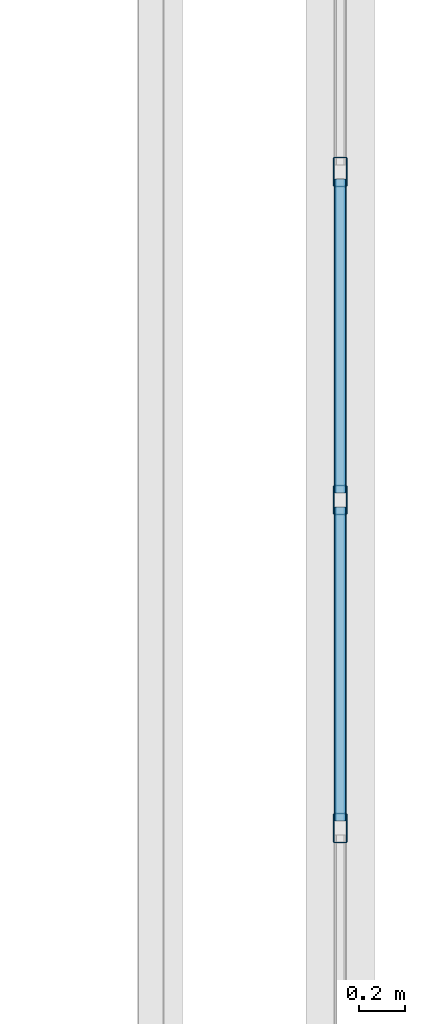
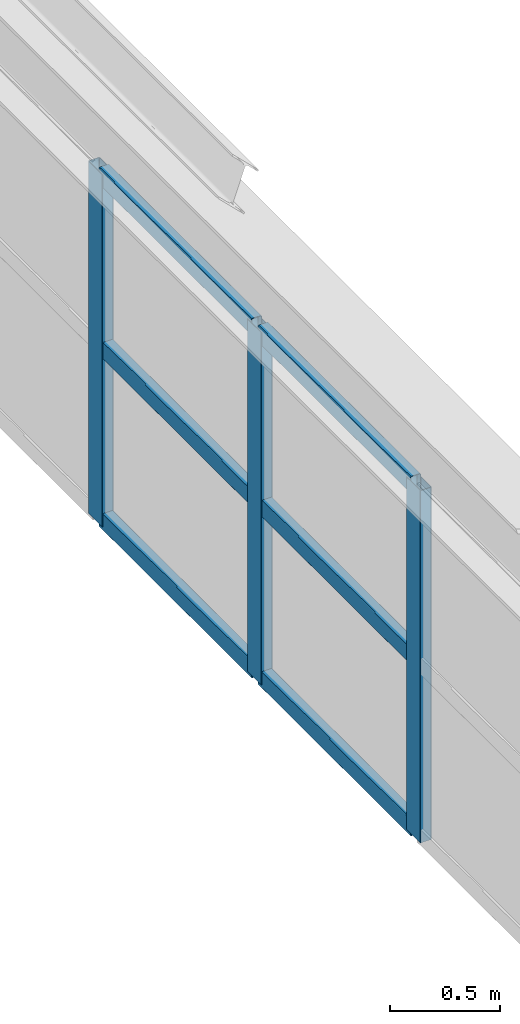
# One storey, part 58 of 121: 9 members, 1 element without a shape of its own.
"""IFC4 building model written with IfcOpenShell, lengths in metres."""

from ifc_helpers import new_model, si_unit, direction, frame, origin, origin_2d, place, context, subcontext, project, spatial, hollow_rectangle, extrude, material, material_profile, profile_set, type_object, element, aggregate, save


model = new_model("IFC4")

# Units and contexts
model_context = context("Model", 3, precision=1e-05, world=origin(), true_north=direction((0.0, 1.0)))
body_context = subcontext(model_context, "Body", "Model", "MODEL_VIEW")
ifc_project = project(units=[si_unit("LENGTHUNIT", "METRE"), si_unit("AREAUNIT", "SQUARE_METRE"), si_unit("VOLUMEUNIT", "CUBIC_METRE"), si_unit("PLANEANGLEUNIT", "RADIAN"), si_unit("MASSUNIT", "GRAM", prefix="KILO")], contexts=[model_context])

# Site, building, storey
site_placement = place(None, origin())
site = spatial("IfcSite", under=ifc_project, at=site_placement, CompositionType="ELEMENT")
building_placement = place(site_placement, origin())
building = spatial("IfcBuilding", under=site, at=building_placement, Name="Canglan Escarpment Cableway Terminal", CompositionType="ELEMENT")
storey_placement = place(building_placement, frame((0.0, 0.0, 24.60009765625)))
storey = spatial("IfcBuildingStorey", under=building, at=storey_placement, Name="L05", CompositionType="ELEMENT", Elevation=24.60009765625)

# Curtain wall, members
ifc_material_1 = material(Name="Anodized bronze aluminium and Low-E double glazing", Category="aluminium")
curtain_wall_type = type_object("IfcCurtainWallType", Name="CW-BAY-8650x1950", PredefinedType="NOTDEFINED", material=ifc_material_1)
curtain_wall_placement = place(storey_placement, origin())
curtain_wall = element("IfcCurtainWall", 1, at=curtain_wall_placement, inside=storey, type_object=curtain_wall_type, Name="Classical bay-between-piers glazed curtain wall CW-66", PredefinedType="NOTDEFINED")
ifc_material_2 = material(Name="Thermally broken anodized aluminium 6063-T6", Category="aluminium")
ifc_material_profile_1 = material_profile(ifc_material_2, hollow_rectangle(XDim=0.06005859375, YDim=0.1298828125, WallThickness=0.0029296875, InnerFilletRadius=0.0029296875, OuterFilletRadius=0.006103515625, at=origin_2d()), Name="ALU-MULL 60x130x3")
ifc_profile_set_1 = profile_set([ifc_material_profile_1], Name="Thermally broken anodized aluminium 6063-T6")
member_type_1 = type_object("IfcMemberType", Name="CWM-01", PredefinedType="MULLION", material=ifc_profile_set_1)
member_1_placement = place(storey_placement, frame((166.39990234375, 83.5, 0.0), z_axis=(0.0, 0.0, 1.0), x_axis=(-1.0, 0.0, 0.0)))
member_1 = element("IfcMember", 2, at=member_1_placement, type_object=member_type_1, Name="CW-66 mullion 4", PredefinedType="MULLION", context=body_context, shape_type="SweptSolid", body=[
    extrude(hollow_rectangle(XDim=0.06005859375, YDim=0.1298828125, WallThickness=0.0029296875, InnerFilletRadius=0.0029296875, OuterFilletRadius=0.006103515625, at=origin_2d()), origin(), (0.0, 0.0, 1.0), 1.949951171875),
])
member_2_placement = place(storey_placement, frame((166.39990234375, 84.941650390625, 0.0), z_axis=(0.0, 0.0, 1.0), x_axis=(-1.0, 0.0, 0.0)))
member_2 = element("IfcMember", 3, at=member_2_placement, type_object=member_type_1, Name="CW-66 mullion 5", PredefinedType="MULLION", context=body_context, shape_type="SweptSolid", body=[
    extrude(hollow_rectangle(XDim=0.06005859375, YDim=0.1298828125, WallThickness=0.0029296875, InnerFilletRadius=0.0029296875, OuterFilletRadius=0.006103515625, at=origin_2d()), origin(), (0.0, 0.0, 1.0), 1.949951171875),
])
member_3_placement = place(storey_placement, frame((166.39990234375, 86.38330078125, 0.0), z_axis=(0.0, 0.0, 1.0), x_axis=(-1.0, 0.0, 0.0)))
member_3 = element("IfcMember", 4, at=member_3_placement, type_object=member_type_1, Name="CW-66 mullion 6", PredefinedType="MULLION", context=body_context, shape_type="SweptSolid", body=[
    extrude(hollow_rectangle(XDim=0.06005859375, YDim=0.1298828125, WallThickness=0.0029296875, InnerFilletRadius=0.0029296875, OuterFilletRadius=0.006103515625, at=origin_2d()), origin(), (0.0, 0.0, 1.0), 1.949951171875),
])
ifc_material_profile_2 = material_profile(ifc_material_2, hollow_rectangle(XDim=0.054931640625, YDim=0.094970703125, WallThickness=0.0029296875, InnerFilletRadius=0.0029296875, OuterFilletRadius=0.006103515625, at=origin_2d()), Name="ALU-TRAN 55x95x3")
ifc_profile_set_2 = profile_set([ifc_material_profile_2], Name="Thermally broken anodized aluminium 6063-T6")
member_type_2 = type_object("IfcMemberType", Name="CWT-01", PredefinedType="USERDEFINED", material=ifc_profile_set_2)
member_4_placement = place(storey_placement, frame((166.39990234375, 83.530029296875, 0.02734375), z_axis=(0.0, 1.0, 0.0), x_axis=(-1.0, 0.0, 0.0)))
member_4 = element("IfcMember", 5, at=member_4_placement, type_object=member_type_2, Name="CW-66 transom 4.1", ObjectType="TRANSOM", PredefinedType="USERDEFINED", context=body_context, shape_type="SweptSolid", body=[
    extrude(hollow_rectangle(XDim=0.054931640625, YDim=0.094970703125, WallThickness=0.0029296875, InnerFilletRadius=0.0029296875, OuterFilletRadius=0.006103515625, at=origin_2d()), origin(), (0.0, 0.0, 1.0), 1.381591796875),
])
member_5_placement = place(storey_placement, frame((166.39990234375, 83.530029296875, 0.974853515625), z_axis=(0.0, 1.0, 0.0), x_axis=(-1.0, 0.0, 0.0)))
member_5 = element("IfcMember", 6, at=member_5_placement, type_object=member_type_2, Name="CW-66 transom 4.2", ObjectType="TRANSOM", PredefinedType="USERDEFINED", context=body_context, shape_type="SweptSolid", body=[
    extrude(hollow_rectangle(XDim=0.054931640625, YDim=0.094970703125, WallThickness=0.0029296875, InnerFilletRadius=0.0029296875, OuterFilletRadius=0.006103515625, at=origin_2d()), origin(), (0.0, 0.0, 1.0), 1.381591796875),
])
member_6_placement = place(storey_placement, frame((166.39990234375, 83.530029296875, 1.92236328125), z_axis=(0.0, 1.0, 0.0), x_axis=(-1.0, 0.0, 0.0)))
member_6 = element("IfcMember", 7, at=member_6_placement, type_object=member_type_2, Name="CW-66 transom 4.3", ObjectType="TRANSOM", PredefinedType="USERDEFINED", context=body_context, shape_type="SweptSolid", body=[
    extrude(hollow_rectangle(XDim=0.054931640625, YDim=0.094970703125, WallThickness=0.0029296875, InnerFilletRadius=0.0029296875, OuterFilletRadius=0.006103515625, at=origin_2d()), origin(), (0.0, 0.0, 1.0), 1.381591796875),
])
member_7_placement = place(storey_placement, frame((166.39990234375, 84.9716796875, 0.02734375), z_axis=(0.0, 1.0, 0.0), x_axis=(-1.0, 0.0, 0.0)))
member_7 = element("IfcMember", 8, at=member_7_placement, type_object=member_type_2, Name="CW-66 transom 5.1", ObjectType="TRANSOM", PredefinedType="USERDEFINED", context=body_context, shape_type="SweptSolid", body=[
    extrude(hollow_rectangle(XDim=0.054931640625, YDim=0.094970703125, WallThickness=0.0029296875, InnerFilletRadius=0.0029296875, OuterFilletRadius=0.006103515625, at=origin_2d()), origin(), (0.0, 0.0, 1.0), 1.381591796875),
])
member_8_placement = place(storey_placement, frame((166.39990234375, 84.9716796875, 0.974853515625), z_axis=(0.0, 1.0, 0.0), x_axis=(-1.0, 0.0, 0.0)))
member_8 = element("IfcMember", 9, at=member_8_placement, type_object=member_type_2, Name="CW-66 transom 5.2", ObjectType="TRANSOM", PredefinedType="USERDEFINED", context=body_context, shape_type="SweptSolid", body=[
    extrude(hollow_rectangle(XDim=0.054931640625, YDim=0.094970703125, WallThickness=0.0029296875, InnerFilletRadius=0.0029296875, OuterFilletRadius=0.006103515625, at=origin_2d()), origin(), (0.0, 0.0, 1.0), 1.381591796875),
])
member_9_placement = place(storey_placement, frame((166.39990234375, 84.9716796875, 1.92236328125), z_axis=(0.0, 1.0, 0.0), x_axis=(-1.0, 0.0, 0.0)))
member_9 = element("IfcMember", 10, at=member_9_placement, type_object=member_type_2, Name="CW-66 transom 5.3", ObjectType="TRANSOM", PredefinedType="USERDEFINED", context=body_context, shape_type="SweptSolid", body=[
    extrude(hollow_rectangle(XDim=0.054931640625, YDim=0.094970703125, WallThickness=0.0029296875, InnerFilletRadius=0.0029296875, OuterFilletRadius=0.006103515625, at=origin_2d()), origin(), (0.0, 0.0, 1.0), 1.381591796875),
])
aggregate(curtain_wall, [member_1, member_2, member_3, member_4, member_5, member_6, member_7, member_8, member_9])

save(model, "model.ifc")
